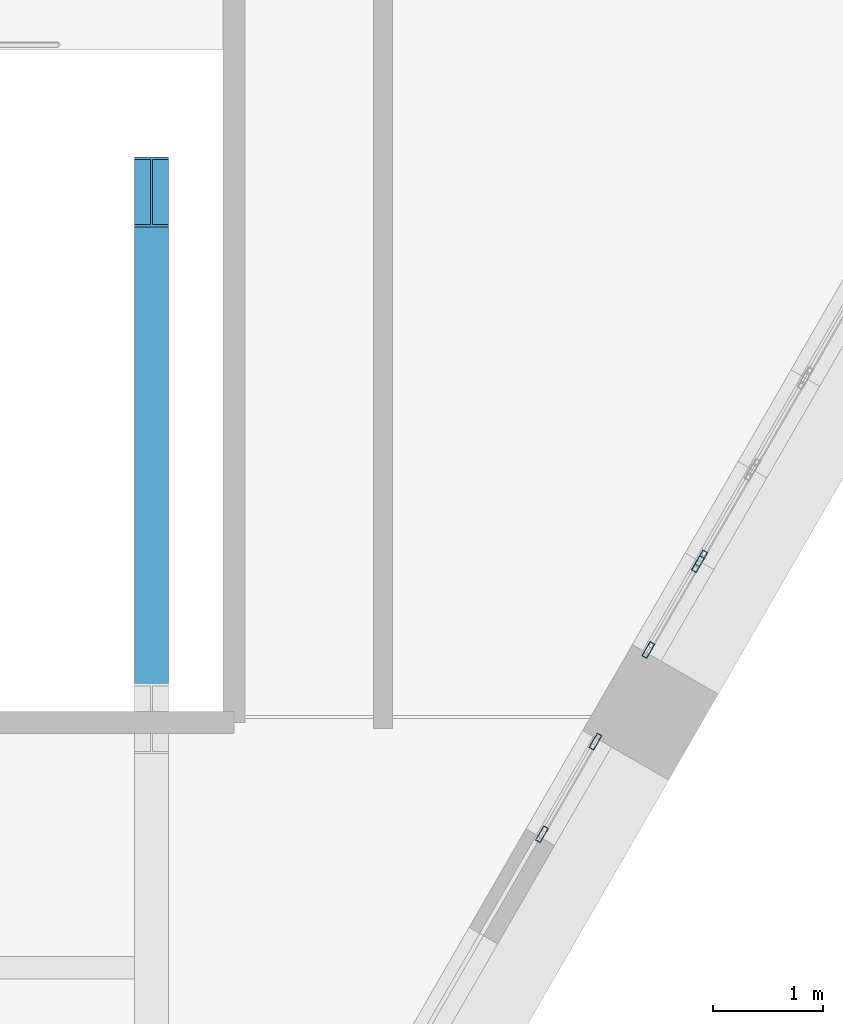
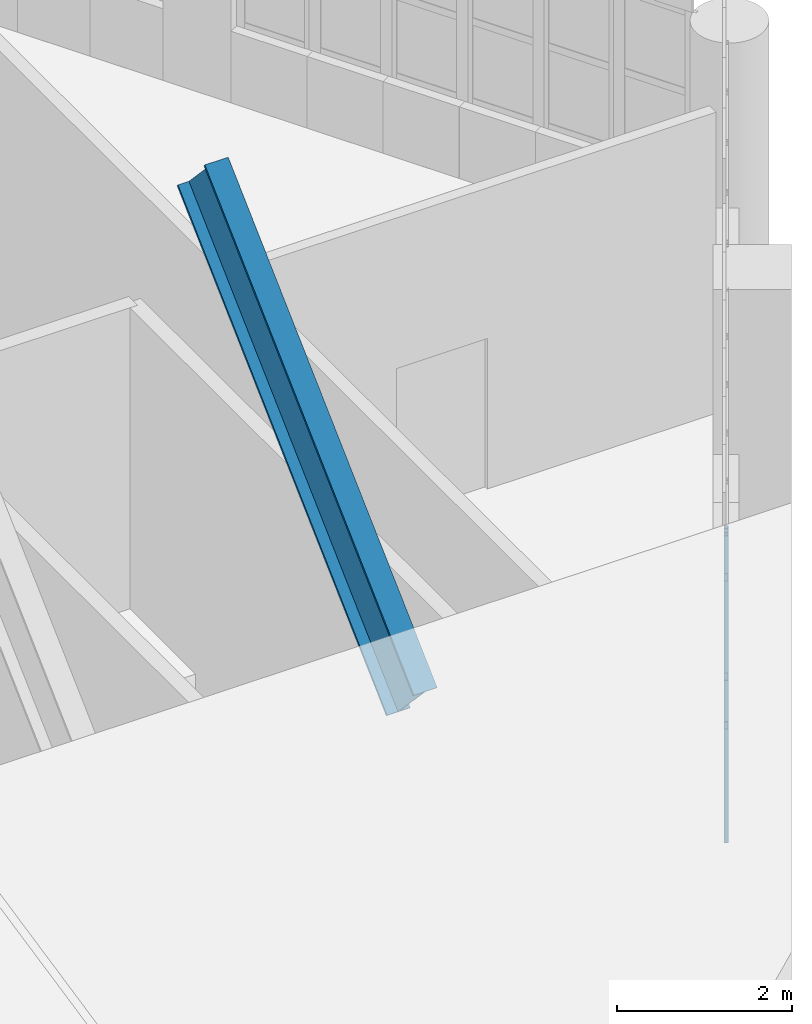
# One storey, part 6 of 25: 6 members, 3 elements without a shape of their own.
"""IFC4 building model written with IfcOpenShell, lengths in metres."""

from ifc_helpers import new_model, si_unit, direction, frame, origin, origin_2d, place, context, subcontext, project, spatial, hollow_rectangle, i_section, extrude, material, material_profile, profile_set, type_object, element, aggregate, save


model = new_model("IFC4")

# Units and contexts
model_context = context("Model", 3, precision=1e-05, world=origin(), true_north=direction((0.0, 1.0)))
body_context = subcontext(model_context, "Body", "Model", "MODEL_VIEW")
ifc_project = project(units=[si_unit("LENGTHUNIT", "METRE"), si_unit("AREAUNIT", "SQUARE_METRE"), si_unit("VOLUMEUNIT", "CUBIC_METRE"), si_unit("PLANEANGLEUNIT", "RADIAN"), si_unit("MASSUNIT", "GRAM", prefix="KILO")], contexts=[model_context])

# Site, building, storey
site_placement = place(None, origin())
site = spatial("IfcSite", under=ifc_project, at=site_placement, CompositionType="ELEMENT")
building_placement = place(site_placement, origin())
building = spatial("IfcBuilding", under=site, at=building_placement, Name="Ostrander Bayou Hotel Tower", CompositionType="ELEMENT")
storey_placement = place(building_placement, frame((0.0, 0.0, 275.0)))
storey = spatial("IfcBuildingStorey", under=building, at=storey_placement, Name="L68", CompositionType="ELEMENT", Elevation=275.0)

# Member
ifc_material_1 = material(Name="Steel ASTM A992", Category="steel")
ifc_material_profile_1 = material_profile(ifc_material_1, i_section(OverallWidth=0.307861328125, OverallDepth=0.9267578125, WebThickness=0.01953125, FlangeThickness=0.031982421875, at=origin_2d()))
ifc_profile_set_1 = profile_set([ifc_material_profile_1], Name="Steel ASTM A992")
member_type_1 = type_object("IfcMemberType", Name="CR1 crown rafter W36x194", PredefinedType="RAFTER", material=ifc_profile_set_1)
member_1_placement = place(storey_placement, frame((8.39990234375, -11.365966796875, 3.519775390625), z_axis=(0.0, 0.727935686227, 0.685645416172), x_axis=(-1.0, 0.0, 0.0)))
element("IfcMember", 1, at=member_1_placement, inside=storey, type_object=member_type_1, Name="CR1 R5-2", PredefinedType="RAFTER", context=body_context, shape_type="SweptSolid", body=[
    extrude(i_section(OverallWidth=0.307861328125, OverallDepth=0.9267578125, WebThickness=0.01953125, FlangeThickness=0.031982421875, at=origin_2d()), origin(), (0.0, 0.0, 1.0), 6.56396484375),
])

# Curtain wall, members
ifc_material_2 = material(Name="Aluminium and clear glass", Category="aluminium")
curtain_wall_type = type_object("IfcCurtainWallType", Name="CW-CROWN glazed wall", PredefinedType="NOTDEFINED", material=ifc_material_2)
curtain_wall_1_placement = place(storey_placement, origin())
curtain_wall_1 = element("IfcCurtainWall", 2, at=curtain_wall_1_placement, inside=storey, type_object=curtain_wall_type, Name="CW-CROWN L68:SE-1-4", PredefinedType="NOTDEFINED")
ifc_material_3 = material(Name="Aluminium", Category="aluminium")
ifc_material_profile_2 = material_profile(ifc_material_3, hollow_rectangle(XDim=0.050048828125, YDim=0.14990234375, WallThickness=0.00390625, at=origin_2d()))
ifc_profile_set_2 = profile_set([ifc_material_profile_2], Name="Aluminium")
member_type_2 = type_object("IfcMemberType", Name="CW-CR mullion 50 x 150 mm", PredefinedType="MULLION", material=ifc_profile_set_2)
member_2_placement = place(storey_placement, frame((11.942138671875, -12.41552734375, 1.0), z_axis=(0.0, 0.0, 1.0), x_axis=(-0.866027389386, 0.499996560821, 0.0)))
member_2 = element("IfcMember", 3, at=member_2_placement, type_object=member_type_2, Name="CW-CROWN mullion 1", PredefinedType="MULLION", context=body_context, shape_type="SweptSolid", body=[
    extrude(hollow_rectangle(XDim=0.050048828125, YDim=0.14990234375, WallThickness=0.00390625, at=origin_2d()), origin(), (0.0, 0.0, 1.0), 1.5869140625),
])
member_3_placement = place(storey_placement, frame((12.427978515625, -11.573974609375, 1.0), z_axis=(0.0, 0.0, 1.0), x_axis=(-0.866027389386, 0.499996560821, 0.0)))
member_3 = element("IfcMember", 4, at=member_3_placement, type_object=member_type_2, Name="CW-CROWN mullion 2", PredefinedType="MULLION", context=body_context, shape_type="SweptSolid", body=[
    extrude(hollow_rectangle(XDim=0.050048828125, YDim=0.14990234375, WallThickness=0.00390625, at=origin_2d()), origin(), (0.0, 0.0, 1.0), 1.5869140625),
])
aggregate(curtain_wall_1, [member_2, member_3])

curtain_wall_2_placement = place(storey_placement, origin())
curtain_wall_2 = element("IfcCurtainWall", 5, at=curtain_wall_2_placement, inside=storey, type_object=curtain_wall_type, Name="CW-CROWN L68:SE-2-1", PredefinedType="NOTDEFINED")
member_4_placement = place(storey_placement, frame((12.907958984375, -10.74267578125, 1.0), z_axis=(0.0, 0.0, 1.0), x_axis=(-0.866022491007, 0.500005045044, 0.0)))
member_4 = element("IfcMember", 6, at=member_4_placement, type_object=member_type_2, Name="CW-CROWN mullion 1", PredefinedType="MULLION", context=body_context, shape_type="SweptSolid", body=[
    extrude(hollow_rectangle(XDim=0.050048828125, YDim=0.14990234375, WallThickness=0.00390625, at=origin_2d()), origin(), (0.0, 0.0, 1.0), 2.300048828125),
])
member_5_placement = place(storey_placement, frame((13.35791015625, -9.96337890625, 1.0), z_axis=(0.0, 0.0, 1.0), x_axis=(-0.866022491007, 0.500005045044, 0.0)))
member_5 = element("IfcMember", 7, at=member_5_placement, type_object=member_type_2, Name="CW-CROWN mullion 2", PredefinedType="MULLION", context=body_context, shape_type="SweptSolid", body=[
    extrude(hollow_rectangle(XDim=0.050048828125, YDim=0.14990234375, WallThickness=0.00390625, at=origin_2d()), origin(), (0.0, 0.0, 1.0), 2.300048828125),
])
aggregate(curtain_wall_2, [member_4, member_5])

# Curtain wall, member
curtain_wall_3_placement = place(storey_placement, origin())
curtain_wall_3 = element("IfcCurtainWall", 8, at=curtain_wall_3_placement, inside=storey, type_object=curtain_wall_type, Name="CW-CROWN L68:SE-2-2", PredefinedType="NOTDEFINED")
member_6_placement = place(storey_placement, frame((13.387939453125, -9.911376953125, 1.0), z_axis=(0.0, 0.0, 1.0), x_axis=(-0.866022491007, 0.500005045044, 0.0)))
member_6 = element("IfcMember", 9, at=member_6_placement, type_object=member_type_2, Name="CW-CROWN mullion 1", PredefinedType="MULLION", context=body_context, shape_type="SweptSolid", body=[
    extrude(hollow_rectangle(XDim=0.050048828125, YDim=0.14990234375, WallThickness=0.00390625, at=origin_2d()), origin(), (0.0, 0.0, 1.0), 2.300048828125),
])
aggregate(curtain_wall_3, [member_6])

save(model, "model.ifc")
